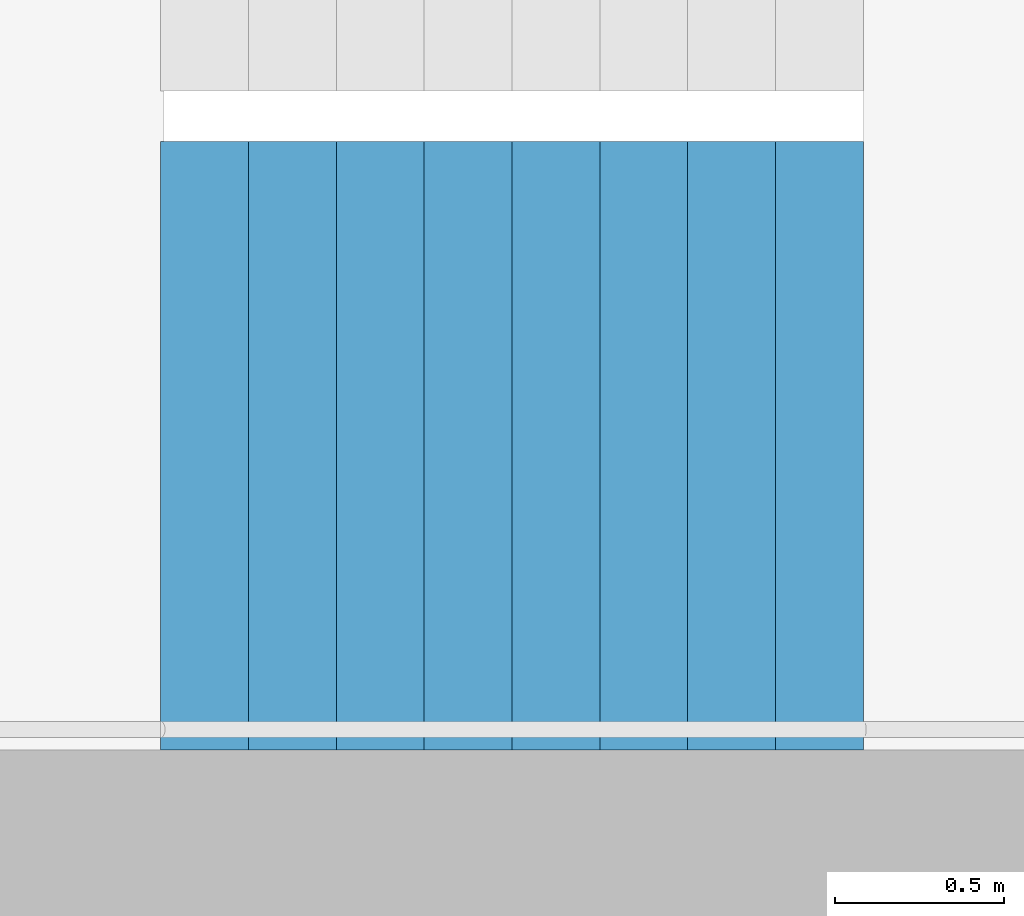
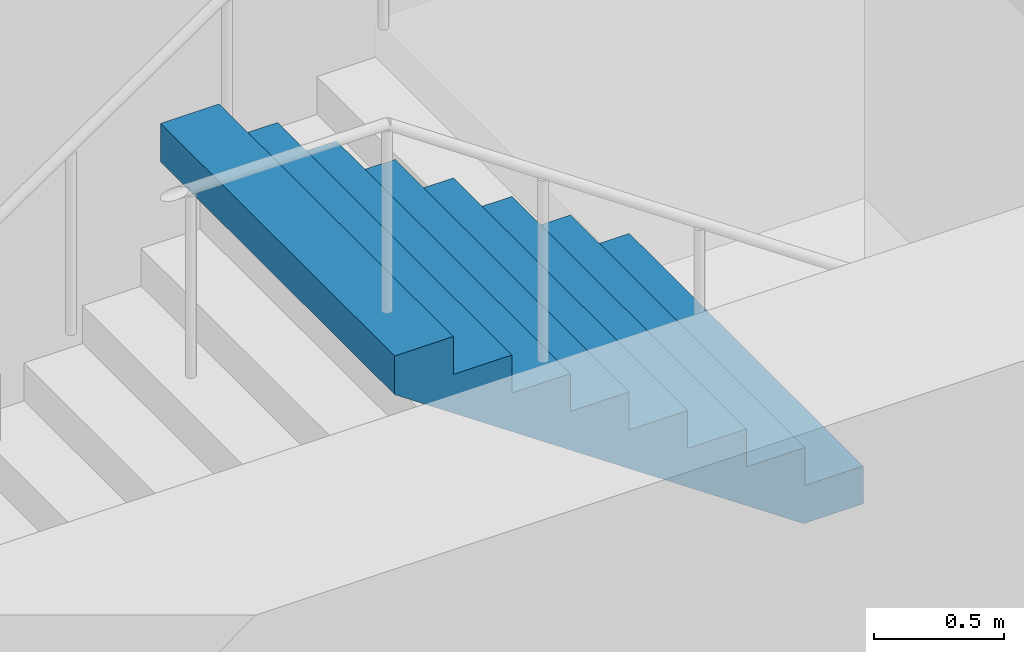
# One storey, part 22 of 26: 1 stair flight, 1 element without a shape of its own.
"""IFC4 building model written with IfcOpenShell, lengths in metres."""

from ifc_helpers import new_model, si_unit, direction, frame, origin, place, context, subcontext, project, spatial, triangles, material, type_object, element, aggregate, save


model = new_model("IFC4")

# Units and contexts
model_context = context("Model", 3, precision=1e-05, world=origin(), true_north=direction((0.0, 1.0)))
body_context = subcontext(model_context, "Body", "Model", "MODEL_VIEW")
ifc_project = project(units=[si_unit("LENGTHUNIT", "METRE"), si_unit("AREAUNIT", "SQUARE_METRE"), si_unit("VOLUMEUNIT", "CUBIC_METRE"), si_unit("PLANEANGLEUNIT", "RADIAN"), si_unit("MASSUNIT", "GRAM", prefix="KILO")], contexts=[model_context])

# Site, building, storey
site_placement = place(None, origin())
site = spatial("IfcSite", under=ifc_project, at=site_placement, CompositionType="ELEMENT")
building_placement = place(site_placement, origin())
building = spatial("IfcBuilding", under=site, at=building_placement, Name="Hakoniwa Tower and Hamabe Station Hall", CompositionType="ELEMENT")
storey_placement = place(building_placement, frame((0.0, 0.0, 209.0)))
storey = spatial("IfcBuildingStorey", under=building, at=storey_placement, Name="L59", CompositionType="ELEMENT", Elevation=209.0)

# Stair, stair flight
ifc_material_1 = material(Name="Concrete C40", Category="concrete")
stair_type = type_object("IfcStairType", Name="ESCAPE STAIR 1800", PredefinedType="HALF_TURN_STAIR", material=ifc_material_1)
stair_placement = place(storey_placement, origin())
stair = element("IfcStair", 1, at=stair_placement, inside=storey, type_object=stair_type, Name="Escape stair ST-4 L59", PredefinedType="HALF_TURN_STAIR")
ifc_material_2 = material(Name="Concrete C40", Category="concrete")
stair_flight_type = type_object("IfcStairFlightType", Name="STAIR FLIGHT 1800", PredefinedType="STRAIGHT", material=ifc_material_2)
stair_flight_placement = place(storey_placement, frame((25.47998046875, -6.60009765625, 1.60009765625), z_axis=(0.0, 0.0, 1.0), x_axis=(-1.0, 0.0, 0.0)))
stair_flight = element("IfcStairFlight", 2, at=stair_flight_placement, type_object=stair_flight_type, Name="ST-4 flight 2", NumberOfRisers=9, NumberOfTreads=8, PredefinedType="STRAIGHT", RiserHeight=0.177777778, TreadLength=0.26, context=body_context, shape_type="Tessellation", body=[
    triangles([(0.0, 0.89990234375, 0.0), (0.260009765625, 0.89990234375, 0.0), (0.265625, 0.89990234375, 0.0), (0.52001953125, 0.89990234375, 0.174072265625), (0.780029296875, 0.89990234375, 0.351806640625), (1.0400390625, 0.89990234375, 0.529541015625), (1.300048828125, 0.89990234375, 0.707275390625), (1.56005859375, 0.89990234375, 0.885009765625), (1.820068359375, 0.89990234375, 1.062744140625), (2.080078125, 0.89990234375, 1.24072265625), (2.080078125, 0.89990234375, 1.422119140625), (1.820068359375, 0.89990234375, 1.422119140625), (1.820068359375, 0.89990234375, 1.244384765625), (1.56005859375, 0.89990234375, 1.244384765625), (1.56005859375, 0.89990234375, 1.066650390625), (1.300048828125, 0.89990234375, 1.066650390625), (1.300048828125, 0.89990234375, 0.888916015625), (1.0400390625, 0.89990234375, 0.888916015625), (1.0400390625, 0.89990234375, 0.711181640625), (0.780029296875, 0.89990234375, 0.711181640625), (0.780029296875, 0.89990234375, 0.533447265625), (0.52001953125, 0.89990234375, 0.533447265625), (0.52001953125, 0.89990234375, 0.35546875), (0.265625, 0.89990234375, 0.35546875), (0.260009765625, 0.89990234375, 0.35546875), (0.260009765625, 0.89990234375, 0.177734375), (0.0, 0.89990234375, 0.177734375), (0.0, 0.06005859375, 0.0), (0.260009765625, 0.06005859375, 0.0), (0.265625, 0.06005859375, 0.0), (0.52001953125, 0.06005859375, 0.174072265625), (0.780029296875, 0.06005859375, 0.351806640625), (1.0400390625, 0.06005859375, 0.529541015625), (1.300048828125, 0.06005859375, 0.707275390625), (1.56005859375, 0.06005859375, 0.885009765625), (1.820068359375, 0.06005859375, 1.062744140625), (2.080078125, 0.06005859375, 1.24072265625), (2.080078125, 0.06005859375, 1.422119140625), (1.820068359375, 0.06005859375, 1.422119140625), (1.820068359375, 0.06005859375, 1.244384765625), (1.56005859375, 0.06005859375, 1.244384765625), (1.56005859375, 0.06005859375, 1.066650390625), (1.300048828125, 0.06005859375, 1.066650390625), (1.300048828125, 0.06005859375, 0.888916015625), (1.0400390625, 0.06005859375, 0.888916015625), (1.0400390625, 0.06005859375, 0.711181640625), (0.780029296875, 0.06005859375, 0.711181640625), (0.780029296875, 0.06005859375, 0.533447265625), (0.52001953125, 0.06005859375, 0.533447265625), (0.52001953125, 0.06005859375, 0.35546875), (0.265625, 0.06005859375, 0.35546875), (0.260009765625, 0.06005859375, 0.35546875), (0.260009765625, 0.06005859375, 0.177734375), (0.0, 0.06005859375, 0.177734375), (0.0, 0.04296875, 0.0), (0.260009765625, 0.04296875, 0.0), (0.265625, 0.04296875, 0.0), (0.52001953125, 0.04296875, 0.174072265625), (0.780029296875, 0.04296875, 0.351806640625), (1.0400390625, 0.04296875, 0.529541015625), (1.300048828125, 0.04296875, 0.707275390625), (1.56005859375, 0.04296875, 0.885009765625), (1.820068359375, 0.04296875, 1.062744140625), (2.080078125, 0.04296875, 1.24072265625), (2.080078125, 0.04296875, 1.422119140625), (1.820068359375, 0.04296875, 1.422119140625), (1.820068359375, 0.04296875, 1.244384765625), (1.56005859375, 0.04296875, 1.244384765625), (1.56005859375, 0.04296875, 1.066650390625), (1.300048828125, 0.04296875, 1.066650390625), (1.300048828125, 0.04296875, 0.888916015625), (1.0400390625, 0.04296875, 0.888916015625), (1.0400390625, 0.04296875, 0.711181640625), (0.780029296875, 0.04296875, 0.711181640625), (0.780029296875, 0.04296875, 0.533447265625), (0.52001953125, 0.04296875, 0.533447265625), (0.52001953125, 0.04296875, 0.35546875), (0.265625, 0.04296875, 0.35546875), (0.260009765625, 0.04296875, 0.35546875), (0.260009765625, 0.04296875, 0.177734375), (0.0, 0.04296875, 0.177734375), (0.0, 0.025634765625, 0.0), (0.260009765625, 0.025634765625, 0.0), (0.265625, 0.025634765625, 0.0), (0.52001953125, 0.025634765625, 0.174072265625), (0.780029296875, 0.025634765625, 0.351806640625), (1.0400390625, 0.025634765625, 0.529541015625), (1.300048828125, 0.025634765625, 0.707275390625), (1.56005859375, 0.025634765625, 0.885009765625), (1.820068359375, 0.025634765625, 1.062744140625), (2.080078125, 0.025634765625, 1.24072265625), (2.080078125, 0.025634765625, 1.422119140625), (1.820068359375, 0.025634765625, 1.422119140625), (1.820068359375, 0.025634765625, 1.244384765625), (1.56005859375, 0.025634765625, 1.244384765625), (1.56005859375, 0.025634765625, 1.066650390625), (1.300048828125, 0.025634765625, 1.066650390625), (1.300048828125, 0.025634765625, 0.888916015625), (1.0400390625, 0.025634765625, 0.888916015625), (1.0400390625, 0.025634765625, 0.711181640625), (0.780029296875, 0.025634765625, 0.711181640625), (0.780029296875, 0.025634765625, 0.533447265625), (0.52001953125, 0.025634765625, 0.533447265625), (0.52001953125, 0.025634765625, 0.35546875), (0.265625, 0.025634765625, 0.35546875), (0.260009765625, 0.025634765625, 0.35546875), (0.260009765625, 0.025634765625, 0.177734375), (0.0, 0.025634765625, 0.177734375), (0.0, 0.008544921875, 0.0), (0.260009765625, 0.008544921875, 0.0), (0.265625, 0.008544921875, 0.0), (0.52001953125, 0.008544921875, 0.174072265625), (0.780029296875, 0.008544921875, 0.351806640625), (1.0400390625, 0.008544921875, 0.529541015625), (1.300048828125, 0.008544921875, 0.707275390625), (1.56005859375, 0.008544921875, 0.885009765625), (1.820068359375, 0.008544921875, 1.062744140625), (2.080078125, 0.008544921875, 1.24072265625), (2.080078125, 0.008544921875, 1.422119140625), (1.820068359375, 0.008544921875, 1.422119140625), (1.820068359375, 0.008544921875, 1.244384765625), (1.56005859375, 0.008544921875, 1.244384765625), (1.56005859375, 0.008544921875, 1.066650390625), (1.300048828125, 0.008544921875, 1.066650390625), (1.300048828125, 0.008544921875, 0.888916015625), (1.0400390625, 0.008544921875, 0.888916015625), (1.0400390625, 0.008544921875, 0.711181640625), (0.780029296875, 0.008544921875, 0.711181640625), (0.780029296875, 0.008544921875, 0.533447265625), (0.52001953125, 0.008544921875, 0.533447265625), (0.52001953125, 0.008544921875, 0.35546875), (0.265625, 0.008544921875, 0.35546875), (0.260009765625, 0.008544921875, 0.35546875), (0.260009765625, 0.008544921875, 0.177734375), (0.0, 0.008544921875, 0.177734375), (0.0, -0.008544921875, 0.0), (0.260009765625, -0.008544921875, 0.0), (0.265625, -0.008544921875, 0.0), (0.52001953125, -0.008544921875, 0.174072265625), (0.780029296875, -0.008544921875, 0.351806640625), (1.0400390625, -0.008544921875, 0.529541015625), (1.300048828125, -0.008544921875, 0.707275390625), (1.56005859375, -0.008544921875, 0.885009765625), (1.820068359375, -0.008544921875, 1.062744140625), (2.080078125, -0.008544921875, 1.24072265625), (2.080078125, -0.008544921875, 1.422119140625), (1.820068359375, -0.008544921875, 1.422119140625), (1.820068359375, -0.008544921875, 1.244384765625), (1.56005859375, -0.008544921875, 1.244384765625), (1.56005859375, -0.008544921875, 1.066650390625), (1.300048828125, -0.008544921875, 1.066650390625), (1.300048828125, -0.008544921875, 0.888916015625), (1.0400390625, -0.008544921875, 0.888916015625), (1.0400390625, -0.008544921875, 0.711181640625), (0.780029296875, -0.008544921875, 0.711181640625), (0.780029296875, -0.008544921875, 0.533447265625), (0.52001953125, -0.008544921875, 0.533447265625), (0.52001953125, -0.008544921875, 0.35546875), (0.265625, -0.008544921875, 0.35546875), (0.260009765625, -0.008544921875, 0.35546875), (0.260009765625, -0.008544921875, 0.177734375), (0.0, -0.008544921875, 0.177734375), (0.0, -0.025634765625, 0.0), (0.260009765625, -0.025634765625, 0.0), (0.265625, -0.025634765625, 0.0), (0.52001953125, -0.025634765625, 0.174072265625), (0.780029296875, -0.025634765625, 0.351806640625), (1.0400390625, -0.025634765625, 0.529541015625), (1.300048828125, -0.025634765625, 0.707275390625), (1.56005859375, -0.025634765625, 0.885009765625), (1.820068359375, -0.025634765625, 1.062744140625), (2.080078125, -0.025634765625, 1.24072265625), (2.080078125, -0.025634765625, 1.422119140625), (1.820068359375, -0.025634765625, 1.422119140625), (1.820068359375, -0.025634765625, 1.244384765625), (1.56005859375, -0.025634765625, 1.244384765625), (1.56005859375, -0.025634765625, 1.066650390625), (1.300048828125, -0.025634765625, 1.066650390625), (1.300048828125, -0.025634765625, 0.888916015625), (1.0400390625, -0.025634765625, 0.888916015625), (1.0400390625, -0.025634765625, 0.711181640625), (0.780029296875, -0.025634765625, 0.711181640625), (0.780029296875, -0.025634765625, 0.533447265625), (0.52001953125, -0.025634765625, 0.533447265625), (0.52001953125, -0.025634765625, 0.35546875), (0.265625, -0.025634765625, 0.35546875), (0.260009765625, -0.025634765625, 0.35546875), (0.260009765625, -0.025634765625, 0.177734375), (0.0, -0.025634765625, 0.177734375), (0.0, -0.04296875, 0.0), (0.260009765625, -0.04296875, 0.0), (0.265625, -0.04296875, 0.0), (0.52001953125, -0.04296875, 0.174072265625), (0.780029296875, -0.04296875, 0.351806640625), (1.0400390625, -0.04296875, 0.529541015625), (1.300048828125, -0.04296875, 0.707275390625), (1.56005859375, -0.04296875, 0.885009765625), (1.820068359375, -0.04296875, 1.062744140625), (2.080078125, -0.04296875, 1.24072265625), (2.080078125, -0.04296875, 1.422119140625), (1.820068359375, -0.04296875, 1.422119140625), (1.820068359375, -0.04296875, 1.244384765625), (1.56005859375, -0.04296875, 1.244384765625), (1.56005859375, -0.04296875, 1.066650390625), (1.300048828125, -0.04296875, 1.066650390625), (1.300048828125, -0.04296875, 0.888916015625), (1.0400390625, -0.04296875, 0.888916015625), (1.0400390625, -0.04296875, 0.711181640625), (0.780029296875, -0.04296875, 0.711181640625), (0.780029296875, -0.04296875, 0.533447265625), (0.52001953125, -0.04296875, 0.533447265625), (0.52001953125, -0.04296875, 0.35546875), (0.265625, -0.04296875, 0.35546875), (0.260009765625, -0.04296875, 0.35546875), (0.260009765625, -0.04296875, 0.177734375), (0.0, -0.04296875, 0.177734375), (0.0, -0.06005859375, 0.0), (0.260009765625, -0.06005859375, 0.0), (0.265625, -0.06005859375, 0.0), (0.52001953125, -0.06005859375, 0.174072265625), (0.780029296875, -0.06005859375, 0.351806640625), (1.0400390625, -0.06005859375, 0.529541015625), (1.300048828125, -0.06005859375, 0.707275390625), (1.56005859375, -0.06005859375, 0.885009765625), (1.820068359375, -0.06005859375, 1.062744140625), (2.080078125, -0.06005859375, 1.24072265625), (2.080078125, -0.06005859375, 1.422119140625), (1.820068359375, -0.06005859375, 1.422119140625), (1.820068359375, -0.06005859375, 1.244384765625), (1.56005859375, -0.06005859375, 1.244384765625), (1.56005859375, -0.06005859375, 1.066650390625), (1.300048828125, -0.06005859375, 1.066650390625), (1.300048828125, -0.06005859375, 0.888916015625), (1.0400390625, -0.06005859375, 0.888916015625), (1.0400390625, -0.06005859375, 0.711181640625), (0.780029296875, -0.06005859375, 0.711181640625), (0.780029296875, -0.06005859375, 0.533447265625), (0.52001953125, -0.06005859375, 0.533447265625), (0.52001953125, -0.06005859375, 0.35546875), (0.265625, -0.06005859375, 0.35546875), (0.260009765625, -0.06005859375, 0.35546875), (0.260009765625, -0.06005859375, 0.177734375), (0.0, -0.06005859375, 0.177734375), (0.0, -0.89990234375, 0.0), (0.260009765625, -0.89990234375, 0.0), (0.265625, -0.89990234375, 0.0), (0.52001953125, -0.89990234375, 0.174072265625), (0.780029296875, -0.89990234375, 0.351806640625), (1.0400390625, -0.89990234375, 0.529541015625), (1.300048828125, -0.89990234375, 0.707275390625), (1.56005859375, -0.89990234375, 0.885009765625), (1.820068359375, -0.89990234375, 1.062744140625), (2.080078125, -0.89990234375, 1.24072265625), (2.080078125, -0.89990234375, 1.422119140625), (1.820068359375, -0.89990234375, 1.422119140625), (1.820068359375, -0.89990234375, 1.244384765625), (1.56005859375, -0.89990234375, 1.244384765625), (1.56005859375, -0.89990234375, 1.066650390625), (1.300048828125, -0.89990234375, 1.066650390625), (1.300048828125, -0.89990234375, 0.888916015625), (1.0400390625, -0.89990234375, 0.888916015625), (1.0400390625, -0.89990234375, 0.711181640625), (0.780029296875, -0.89990234375, 0.711181640625), (0.780029296875, -0.89990234375, 0.533447265625), (0.52001953125, -0.89990234375, 0.533447265625), (0.52001953125, -0.89990234375, 0.35546875), (0.265625, -0.89990234375, 0.35546875), (0.260009765625, -0.89990234375, 0.35546875), (0.260009765625, -0.89990234375, 0.177734375), (0.0, -0.89990234375, 0.177734375)], [[2, 27, 26], [245, 269, 270], [2, 1, 27], [245, 270, 244], [3, 25, 24], [246, 267, 268], [3, 26, 25], [246, 268, 269], [3, 2, 26], [246, 269, 245], [4, 24, 23], [247, 266, 267], [4, 3, 24], [247, 267, 246], [5, 22, 21], [248, 264, 265], [5, 23, 22], [248, 265, 266], [5, 4, 23], [248, 266, 247], [6, 20, 19], [249, 262, 263], [6, 21, 20], [249, 263, 264], [6, 5, 21], [249, 264, 248], [7, 18, 17], [250, 260, 261], [7, 19, 18], [250, 261, 262], [7, 6, 19], [250, 262, 249], [8, 16, 15], [251, 258, 259], [8, 17, 16], [251, 259, 260], [8, 7, 17], [251, 260, 250], [9, 14, 13], [252, 256, 257], [9, 15, 14], [252, 257, 258], [9, 8, 15], [252, 258, 251], [10, 12, 11], [253, 254, 255], [10, 13, 12], [253, 255, 256], [10, 9, 13], [253, 256, 252], [1, 2, 29], [1, 29, 28], [28, 29, 56], [28, 56, 55], [55, 56, 83], [55, 83, 82], [82, 83, 110], [82, 110, 109], [109, 110, 137], [109, 137, 136], [136, 137, 164], [136, 164, 163], [163, 164, 191], [163, 191, 190], [190, 191, 218], [190, 218, 217], [217, 218, 245], [217, 245, 244], [2, 3, 30], [2, 30, 29], [29, 30, 57], [29, 57, 56], [56, 57, 84], [56, 84, 83], [83, 84, 111], [83, 111, 110], [110, 111, 138], [110, 138, 137], [137, 138, 165], [137, 165, 164], [164, 165, 192], [164, 192, 191], [191, 192, 219], [191, 219, 218], [218, 219, 246], [218, 246, 245], [3, 4, 31], [3, 31, 30], [30, 31, 58], [30, 58, 57], [57, 58, 85], [57, 85, 84], [84, 85, 112], [84, 112, 111], [111, 112, 139], [111, 139, 138], [138, 139, 166], [138, 166, 165], [165, 166, 193], [165, 193, 192], [192, 193, 220], [192, 220, 219], [219, 220, 247], [219, 247, 246], [4, 5, 32], [4, 32, 31], [31, 32, 59], [31, 59, 58], [58, 59, 86], [58, 86, 85], [85, 86, 113], [85, 113, 112], [112, 113, 140], [112, 140, 139], [139, 140, 167], [139, 167, 166], [166, 167, 194], [166, 194, 193], [193, 194, 221], [193, 221, 220], [220, 221, 248], [220, 248, 247], [5, 6, 33], [5, 33, 32], [32, 33, 60], [32, 60, 59], [59, 60, 87], [59, 87, 86], [86, 87, 114], [86, 114, 113], [113, 114, 141], [113, 141, 140], [140, 141, 168], [140, 168, 167], [167, 168, 195], [167, 195, 194], [194, 195, 222], [194, 222, 221], [221, 222, 249], [221, 249, 248], [6, 7, 34], [6, 34, 33], [33, 34, 61], [33, 61, 60], [60, 61, 88], [60, 88, 87], [87, 88, 115], [87, 115, 114], [114, 115, 142], [114, 142, 141], [141, 142, 169], [141, 169, 168], [168, 169, 196], [168, 196, 195], [195, 196, 223], [195, 223, 222], [222, 223, 250], [222, 250, 249], [7, 8, 35], [7, 35, 34], [34, 35, 62], [34, 62, 61], [61, 62, 89], [61, 89, 88], [88, 89, 116], [88, 116, 115], [115, 116, 143], [115, 143, 142], [142, 143, 170], [142, 170, 169], [169, 170, 197], [169, 197, 196], [196, 197, 224], [196, 224, 223], [223, 224, 251], [223, 251, 250], [8, 9, 36], [8, 36, 35], [35, 36, 63], [35, 63, 62], [62, 63, 90], [62, 90, 89], [89, 90, 117], [89, 117, 116], [116, 117, 144], [116, 144, 143], [143, 144, 171], [143, 171, 170], [170, 171, 198], [170, 198, 197], [197, 198, 225], [197, 225, 224], [224, 225, 252], [224, 252, 251], [9, 10, 37], [9, 37, 36], [36, 37, 64], [36, 64, 63], [63, 64, 91], [63, 91, 90], [90, 91, 118], [90, 118, 117], [117, 118, 145], [117, 145, 144], [144, 145, 172], [144, 172, 171], [171, 172, 199], [171, 199, 198], [198, 199, 226], [198, 226, 225], [225, 226, 253], [225, 253, 252], [10, 11, 38], [10, 38, 37], [37, 38, 65], [37, 65, 64], [64, 65, 92], [64, 92, 91], [91, 92, 119], [91, 119, 118], [118, 119, 146], [118, 146, 145], [145, 146, 173], [145, 173, 172], [172, 173, 200], [172, 200, 199], [199, 200, 227], [199, 227, 226], [226, 227, 254], [226, 254, 253], [11, 12, 39], [11, 39, 38], [38, 39, 66], [38, 66, 65], [65, 66, 93], [65, 93, 92], [92, 93, 120], [92, 120, 119], [119, 120, 147], [119, 147, 146], [146, 147, 174], [146, 174, 173], [173, 174, 201], [173, 201, 200], [200, 201, 228], [200, 228, 227], [227, 228, 255], [227, 255, 254], [12, 13, 40], [12, 40, 39], [39, 40, 67], [39, 67, 66], [66, 67, 94], [66, 94, 93], [93, 94, 121], [93, 121, 120], [120, 121, 148], [120, 148, 147], [147, 148, 175], [147, 175, 174], [174, 175, 202], [174, 202, 201], [201, 202, 229], [201, 229, 228], [228, 229, 256], [228, 256, 255], [13, 14, 41], [13, 41, 40], [40, 41, 68], [40, 68, 67], [67, 68, 95], [67, 95, 94], [94, 95, 122], [94, 122, 121], [121, 122, 149], [121, 149, 148], [148, 149, 176], [148, 176, 175], [175, 176, 203], [175, 203, 202], [202, 203, 230], [202, 230, 229], [229, 230, 257], [229, 257, 256], [14, 15, 42], [14, 42, 41], [41, 42, 69], [41, 69, 68], [68, 69, 96], [68, 96, 95], [95, 96, 123], [95, 123, 122], [122, 123, 150], [122, 150, 149], [149, 150, 177], [149, 177, 176], [176, 177, 204], [176, 204, 203], [203, 204, 231], [203, 231, 230], [230, 231, 258], [230, 258, 257], [15, 16, 43], [15, 43, 42], [42, 43, 70], [42, 70, 69], [69, 70, 97], [69, 97, 96], [96, 97, 124], [96, 124, 123], [123, 124, 151], [123, 151, 150], [150, 151, 178], [150, 178, 177], [177, 178, 205], [177, 205, 204], [204, 205, 232], [204, 232, 231], [231, 232, 259], [231, 259, 258], [16, 17, 44], [16, 44, 43], [43, 44, 71], [43, 71, 70], [70, 71, 98], [70, 98, 97], [97, 98, 125], [97, 125, 124], [124, 125, 152], [124, 152, 151], [151, 152, 179], [151, 179, 178], [178, 179, 206], [178, 206, 205], [205, 206, 233], [205, 233, 232], [232, 233, 260], [232, 260, 259], [17, 18, 45], [17, 45, 44], [44, 45, 72], [44, 72, 71], [71, 72, 99], [71, 99, 98], [98, 99, 126], [98, 126, 125], [125, 126, 153], [125, 153, 152], [152, 153, 180], [152, 180, 179], [179, 180, 207], [179, 207, 206], [206, 207, 234], [206, 234, 233], [233, 234, 261], [233, 261, 260], [18, 19, 46], [18, 46, 45], [45, 46, 73], [45, 73, 72], [72, 73, 100], [72, 100, 99], [99, 100, 127], [99, 127, 126], [126, 127, 154], [126, 154, 153], [153, 154, 181], [153, 181, 180], [180, 181, 208], [180, 208, 207], [207, 208, 235], [207, 235, 234], [234, 235, 262], [234, 262, 261], [19, 20, 47], [19, 47, 46], [46, 47, 74], [46, 74, 73], [73, 74, 101], [73, 101, 100], [100, 101, 128], [100, 128, 127], [127, 128, 155], [127, 155, 154], [154, 155, 182], [154, 182, 181], [181, 182, 209], [181, 209, 208], [208, 209, 236], [208, 236, 235], [235, 236, 263], [235, 263, 262], [20, 21, 48], [20, 48, 47], [47, 48, 75], [47, 75, 74], [74, 75, 102], [74, 102, 101], [101, 102, 129], [101, 129, 128], [128, 129, 156], [128, 156, 155], [155, 156, 183], [155, 183, 182], [182, 183, 210], [182, 210, 209], [209, 210, 237], [209, 237, 236], [236, 237, 264], [236, 264, 263], [21, 22, 49], [21, 49, 48], [48, 49, 76], [48, 76, 75], [75, 76, 103], [75, 103, 102], [102, 103, 130], [102, 130, 129], [129, 130, 157], [129, 157, 156], [156, 157, 184], [156, 184, 183], [183, 184, 211], [183, 211, 210], [210, 211, 238], [210, 238, 237], [237, 238, 265], [237, 265, 264], [22, 23, 50], [22, 50, 49], [49, 50, 77], [49, 77, 76], [76, 77, 104], [76, 104, 103], [103, 104, 131], [103, 131, 130], [130, 131, 158], [130, 158, 157], [157, 158, 185], [157, 185, 184], [184, 185, 212], [184, 212, 211], [211, 212, 239], [211, 239, 238], [238, 239, 266], [238, 266, 265], [23, 24, 51], [23, 51, 50], [50, 51, 78], [50, 78, 77], [77, 78, 105], [77, 105, 104], [104, 105, 132], [104, 132, 131], [131, 132, 159], [131, 159, 158], [158, 159, 186], [158, 186, 185], [185, 186, 213], [185, 213, 212], [212, 213, 240], [212, 240, 239], [239, 240, 267], [239, 267, 266], [24, 25, 52], [24, 52, 51], [51, 52, 79], [51, 79, 78], [78, 79, 106], [78, 106, 105], [105, 106, 133], [105, 133, 132], [132, 133, 160], [132, 160, 159], [159, 160, 187], [159, 187, 186], [186, 187, 214], [186, 214, 213], [213, 214, 241], [213, 241, 240], [240, 241, 268], [240, 268, 267], [25, 26, 53], [25, 53, 52], [52, 53, 80], [52, 80, 79], [79, 80, 107], [79, 107, 106], [106, 107, 134], [106, 134, 133], [133, 134, 161], [133, 161, 160], [160, 161, 188], [160, 188, 187], [187, 188, 215], [187, 215, 214], [214, 215, 242], [214, 242, 241], [241, 242, 269], [241, 269, 268], [26, 27, 54], [26, 54, 53], [53, 54, 81], [53, 81, 80], [80, 81, 108], [80, 108, 107], [107, 108, 135], [107, 135, 134], [134, 135, 162], [134, 162, 161], [161, 162, 189], [161, 189, 188], [188, 189, 216], [188, 216, 215], [215, 216, 243], [215, 243, 242], [242, 243, 270], [242, 270, 269], [27, 1, 28], [27, 28, 54], [54, 28, 55], [54, 55, 81], [81, 55, 82], [81, 82, 108], [108, 82, 109], [108, 109, 135], [135, 109, 136], [135, 136, 162], [162, 136, 163], [162, 163, 189], [189, 163, 190], [189, 190, 216], [216, 190, 217], [216, 217, 243], [243, 217, 244], [243, 244, 270]], closed=True),
])
aggregate(stair, [stair_flight])

save(model, "model.ifc")
